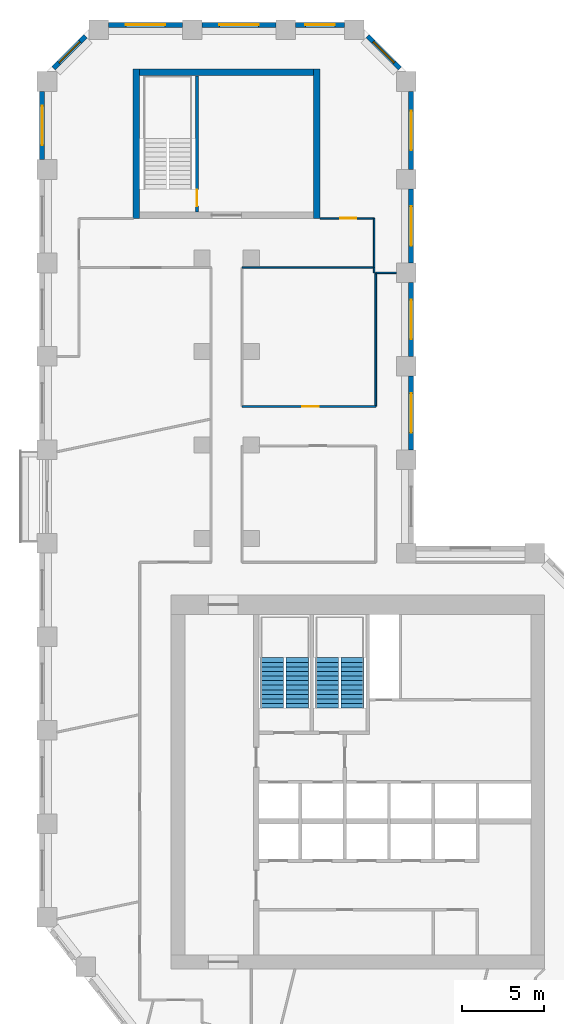
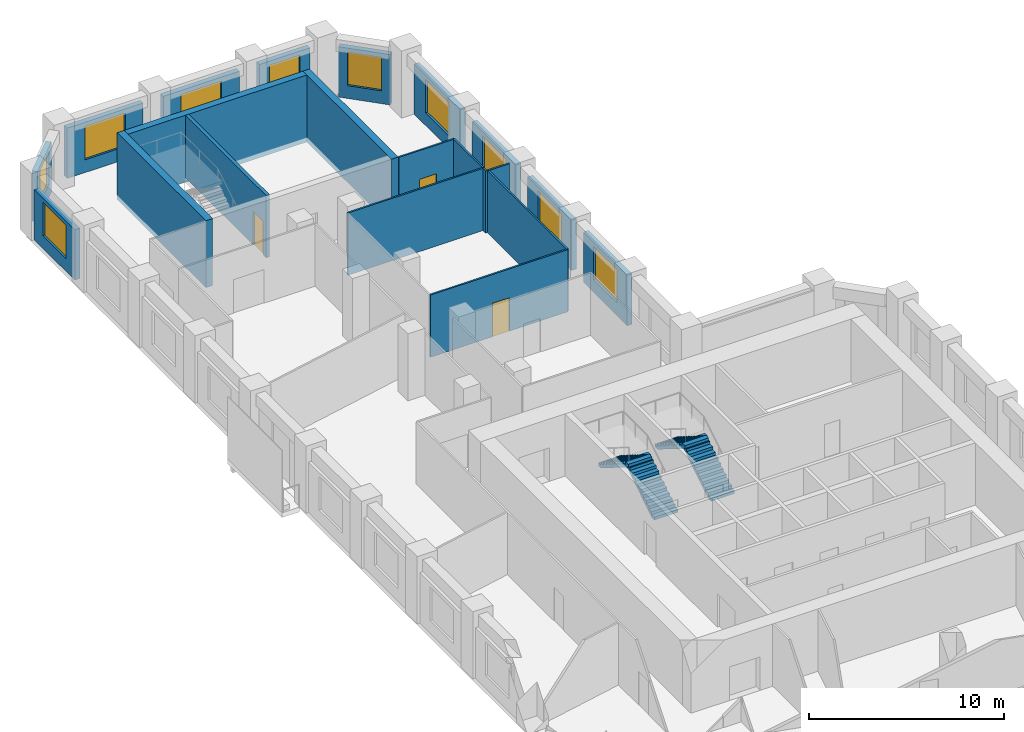
# One storey, part 8 of 10: 21 walls, 10 windows, 4 stair flights, 3 doors, 13 openings, 2 elements without a shape of their own.
"""IFC4 building model written with IfcOpenShell, lengths in metres."""

import ifcopenshell
import ifcopenshell.guid

model = None  # the IFC model being written
_history = None  # IfcOwnerHistory: only IFC2X3 demands one
_inside = {}  # id of a spatial element -> (the spatial element, [elements in it])
_under = {}  # id of a project, library or spatial element -> (it, [spatial elements below it])
_declared = {}  # id of a project -> (the project, [libraries it declares])
_typed = {}  # id of a type object -> (the type object, [elements of that type])
_made_of = {}  # id of a material, layer set ... -> (it, [elements and type objects made of it])


def new_model(schema):
    """Start an empty IFC model of exactly this schema.

    Asked for "IFC4X3", IfcOpenShell would pick the latest addendum, in which some entities
    have other attributes; the version numbers below select the first issue.
    IFC2X3 requires an IfcOwnerHistory on every rooted entity: one is made here for all.
    """
    global model, _history
    if schema == "IFC4X3":
        model = ifcopenshell.file(schema_version=(4, 3, 0, 0))
    else:
        model = ifcopenshell.file(schema=schema)
    _inside.clear()
    _under.clear()
    _declared.clear()
    _typed.clear()
    _made_of.clear()
    _history = None
    if model.schema == "IFC2X3":
        org = make("IfcOrganization", Name="unknown")
        user = make(
            "IfcPersonAndOrganization",
            ThePerson=make("IfcPerson", FamilyName="unknown"),
            TheOrganization=org,
        )
        app = make(
            "IfcApplication",
            ApplicationDeveloper=org,
            Version="unknown",
            ApplicationFullName="unknown",
            ApplicationIdentifier="unknown",
        )
        _history = make(
            "IfcOwnerHistory",
            OwningUser=user,
            OwningApplication=app,
            ChangeAction="ADDED",
            CreationDate=0,
        )
    return model


def make(cls, **values):
    """One entity of the class cls with the attributes given. An attribute that is None is left unset."""
    return model.create_entity(
        cls, **{name: value for name, value in values.items() if value is not None}
    )


def rooted(cls, **values):
    """An entity with a GlobalId (a new one), such as an element, a storey or a relation."""
    return make(cls, GlobalId=ifcopenshell.guid.new(), OwnerHistory=_history, **values)


def si_unit(unit_type, name, prefix=None):
    """IfcSIUnit, for example si_unit("LENGTHUNIT", "METRE", prefix="MILLI")."""
    return make("IfcSIUnit", UnitType=unit_type, Prefix=prefix, Name=name)


def assignment(units):
    """IfcUnitAssignment: the units of a project."""
    return None if units is None else make("IfcUnitAssignment", Units=units)


def point(xyz):
    """IfcCartesianPoint."""
    return None if xyz is None else make("IfcCartesianPoint", Coordinates=xyz)


def direction(xyz):
    """IfcDirection."""
    return None if xyz is None else make("IfcDirection", DirectionRatios=xyz)


def frame(location, z_axis=None, x_axis=None):
    """IfcAxis2Placement3D, a coordinate frame: its origin and axes. An axis left out is left unset."""
    return make(
        "IfcAxis2Placement3D",
        Location=point(location),
        Axis=direction(z_axis),
        RefDirection=direction(x_axis),
    )


def frame_2d(location, x_axis=None):
    """IfcAxis2Placement2D, a coordinate frame in the plane: its origin and x axis."""
    return make(
        "IfcAxis2Placement2D", Location=point(location), RefDirection=direction(x_axis)
    )


def origin():
    """The frame at (0, 0, 0) with its axes left unset."""
    return frame((0.0, 0.0, 0.0))


def place(relative_to, where):
    """IfcLocalPlacement: puts the frame where relative to a parent placement (None: the world)."""
    return make(
        "IfcLocalPlacement", PlacementRelTo=relative_to, RelativePlacement=where
    )


def context(
    kind, dimensions, precision=None, world=None, true_north=None, identifier=None
):
    """IfcGeometricRepresentationContext, for example the 3D "Model" context."""
    return make(
        "IfcGeometricRepresentationContext",
        ContextIdentifier=identifier,
        ContextType=kind,
        CoordinateSpaceDimension=dimensions,
        Precision=precision,
        WorldCoordinateSystem=world,
        TrueNorth=true_north,
    )


def subcontext(parent, identifier, kind, view, scale=None):
    """IfcGeometricRepresentationSubContext, for example "Body" below "Model"."""
    return make(
        "IfcGeometricRepresentationSubContext",
        ContextIdentifier=identifier,
        ContextType=kind,
        ParentContext=parent,
        TargetScale=scale,
        TargetView=view,
    )


def project(units=None, contexts=None):
    """IfcProject with its units and contexts."""
    return rooted(
        "IfcProject",
        Name="project",
        RepresentationContexts=contexts,
        UnitsInContext=assignment(units),
    )


def spatial(cls, under=None, at=None, **own):
    """A site, building, storey or space (cls), placed at a placement, below another one or the project."""
    s = rooted(cls, ObjectPlacement=at, **own)
    if under is not None:
        _under.setdefault(under.id(), (under, []))[1].append(s)
    return s


def polyline(points):
    """IfcPolyline through the points."""
    return make("IfcPolyline", Points=[point(p) for p in points])


def profile(cls, at=None, kind="AREA", **sizes):
    """A parametric profile (cls). Its sizes go by their IFC names, for example OverallWidth=200.0."""
    return make(cls, ProfileType=kind, Position=at, **sizes)


def rectangle(**sizes):
    """IfcRectangleProfileDef."""
    return profile("IfcRectangleProfileDef", **sizes)


def outline(outer, holes=None, kind="AREA"):
    """IfcArbitraryClosedProfileDef: a profile drawn as a closed curve; with holes, ...WithVoids."""
    if holes is None:
        return make("IfcArbitraryClosedProfileDef", ProfileType=kind, OuterCurve=outer)
    return make(
        "IfcArbitraryProfileDefWithVoids",
        ProfileType=kind,
        OuterCurve=outer,
        InnerCurves=holes,
    )


def extrude(swept, where, along, depth):
    """IfcExtrudedAreaSolid: the profile swept, set in the frame where, extruded along a direction by depth."""
    return make(
        "IfcExtrudedAreaSolid",
        SweptArea=swept,
        Position=where,
        ExtrudedDirection=direction(along),
        Depth=depth,
    )


def shape(context_of_items, identifier, shape_type, items):
    """IfcShapeRepresentation: the items that make up one representation, for example the "Body"."""
    return make(
        "IfcShapeRepresentation",
        ContextOfItems=context_of_items,
        RepresentationIdentifier=identifier,
        RepresentationType=shape_type,
        Items=items,
    )


def material(Name=None, Category=None):
    """IfcMaterial."""
    return make("IfcMaterial", Name=Name, Category=Category)


def layer(
    of_material, thickness, ventilated=None, Name=None, Category=None, Priority=None
):
    """IfcMaterialLayer: one layer of a wall or slab, of a material (None: an air gap)."""
    return make(
        "IfcMaterialLayer",
        Material=of_material,
        LayerThickness=thickness,
        IsVentilated=ventilated,
        Name=Name,
        Category=Category,
        Priority=Priority,
    )


def layer_set(layers, Name=None):
    """IfcMaterialLayerSet."""
    return make("IfcMaterialLayerSet", MaterialLayers=layers, LayerSetName=Name)


def made_of(thing, what):
    """Note that an element or type object is made of a material, layer set ...; save() writes the relation."""
    if what is not None:
        _made_of.setdefault(what.id(), (what, []))[1].append(thing)
    return thing


def type_object(cls, material=None, **own):
    """A type object (cls), such as IfcWallType, which elements share."""
    return made_of(rooted(cls, **own), material)


def element(
    cls,
    number,
    at=None,
    inside=None,
    cuts=None,
    type_object=None,
    material=None,
    context=None,
    identifier="Body",
    shape_type=None,
    held_by="IfcProductDefinitionShape",
    body=None,
    shapes=None,
    **own,
):
    """One element of the class cls, such as IfcWall. Its Tag is "e" and its number.

    at: its placement. inside: the storey or other place that contains it. cuts: it is an
    opening in that element (IfcRelVoidsElement). A single representation is given by context,
    identifier, shape_type and body (its items); several are given by shapes. held_by: the class
    of the entity that holds the representations. save() writes the other relations.
    """
    e = rooted(cls, Tag="e%d" % number, ObjectPlacement=at, **own)
    if body is not None:
        shapes = [shape(context, identifier, shape_type, body)]
    if shapes is not None:
        e.Representation = make(held_by, Representations=shapes)
    if inside is not None:
        _inside.setdefault(inside.id(), (inside, []))[1].append(e)
    if cuts is not None:
        rooted(
            "IfcRelVoidsElement", RelatingBuildingElement=cuts, RelatedOpeningElement=e
        )
    if type_object is not None:
        _typed.setdefault(type_object.id(), (type_object, []))[1].append(e)
    return made_of(e, material)


def fill(opening, filler):
    """IfcRelFillsElement: the door or window that sits in an opening."""
    return rooted(
        "IfcRelFillsElement",
        RelatingOpeningElement=opening,
        RelatedBuildingElement=filler,
    )


def aggregate(whole, parts):
    """IfcRelAggregates: a whole, such as a stair, and the parts it consists of."""
    return rooted("IfcRelAggregates", RelatingObject=whole, RelatedObjects=parts)


def save(model, path):
    """Write the relations noted so far, then the file.

    IfcRelAggregates (storeys below a building ...), IfcRelContainedInSpatialStructure (elements
    in a storey), IfcRelDefinesByType, IfcRelAssociatesMaterial and IfcRelDeclares: one each for
    every whole, place, type object, material and project.
    """
    for whole, parts in _under.values():
        aggregate(whole, parts)
    for where, things in _inside.values():
        rooted(
            "IfcRelContainedInSpatialStructure",
            RelatedElements=things,
            RelatingStructure=where,
        )
    for kind, things in _typed.values():
        rooted("IfcRelDefinesByType", RelatedObjects=things, RelatingType=kind)
    for what, things in _made_of.values():
        rooted("IfcRelAssociatesMaterial", RelatedObjects=things, RelatingMaterial=what)
    for by, libraries in _declared.values():
        rooted("IfcRelDeclares", RelatingContext=by, RelatedDefinitions=libraries)
    model.write(path)


model = new_model("IFC4")

# Units and contexts
model_context = context("Model", 3, precision=1e-05, world=origin(), true_north=direction((0.0, 1.0)))
body_context = subcontext(model_context, "Body", "Model", "MODEL_VIEW")
ifc_project = project(units=[si_unit("LENGTHUNIT", "METRE"), si_unit("AREAUNIT", "SQUARE_METRE"), si_unit("VOLUMEUNIT", "CUBIC_METRE"), si_unit("PLANEANGLEUNIT", "RADIAN"), si_unit("MASSUNIT", "GRAM", prefix="KILO")], contexts=[model_context])

# Site, building, storey
site_placement = place(None, origin())
site = spatial("IfcSite", under=ifc_project, at=site_placement, CompositionType="ELEMENT")
building_placement = place(site_placement, origin())
building = spatial("IfcBuilding", under=site, at=building_placement, Name="Meshkara Civic Tower", CompositionType="ELEMENT")
storey_placement = place(building_placement, frame((0.0, 0.0, 182.39990234375)))
storey = spatial("IfcBuildingStorey", under=building, at=storey_placement, Name="L41", CompositionType="ELEMENT", Elevation=182.39990234375)

# Walls
ifc_material_1 = material(Name="Corridor wall 100")
ifc_layer_1 = layer(ifc_material_1, 0.10009765625)
ifc_layer_set_1 = layer_set([ifc_layer_1], Name="Corridor wall 100")
wall_type_1 = type_object("IfcWallType", Name="Corridor wall 100", PredefinedType="PARTITIONING", material=ifc_layer_set_1)
wall_1_placement = place(storey_placement, frame((12.35009765625, 56.8701171875, 0.0), z_axis=(0.0, 0.0, 1.0), x_axis=(1.0, 0.0, 0.0)))
element("IfcWall", 1, at=wall_1_placement, inside=storey, type_object=wall_type_1, Name="L41-W015", PredefinedType="PARTITIONING", context=body_context, shape_type="SweptSolid", body=[
    extrude(rectangle(XDim=8.0498046875, YDim=0.10009765625, at=frame_2d((4.02490234375, 0.0))), origin(), (0.0, 0.0, 1.0), 3.900146484375),
])
wall_2_placement = place(storey_placement, frame((20.39990234375, 56.8701171875, 0.0), z_axis=(0.0, 0.0, 1.0), x_axis=(0.0, 1.0, 0.0)))
element("IfcWall", 2, at=wall_2_placement, inside=storey, type_object=wall_type_1, Name="L41-W018", PredefinedType="PARTITIONING", context=body_context, shape_type="SweptSolid", body=[
    extrude(rectangle(XDim=3.0, YDim=0.10009765625, at=frame_2d((1.5, 0.0))), origin(), (0.0, 0.0, 1.0), 3.900146484375),
])

# Wall, opening, door
wall_3_placement = place(storey_placement, frame((20.39990234375, 59.8701171875, 0.0), z_axis=(0.0, 0.0, 1.0), x_axis=(-1.0, 0.0, 0.0)))
wall_3 = element("IfcWall", 3, at=wall_3_placement, inside=storey, type_object=wall_type_1, Name="L41-W019", PredefinedType="PARTITIONING", context=body_context, shape_type="SweptSolid", body=[
    extrude(rectangle(XDim=3.2998046875, YDim=0.10009765625, at=frame_2d((1.64990234375, 0.0))), origin(), (0.0, 0.0, 1.0), 3.900146484375),
])
opening_1_placement = place(wall_3_placement, frame((1.080078125, 0.0, 0.0)))
opening_1 = element("IfcOpeningElement", 4, at=opening_1_placement, cuts=wall_3, Name="Opening L41-D022", PredefinedType="OPENING", context=body_context, shape_type="SweptSolid", body=[
    extrude(rectangle(XDim=1.0, YDim=2.10009765625, at=frame_2d((0.5, 1.050048828125))), frame((0.0, 0.06005859375, 0.0), z_axis=(0.0, -1.0, 0.0), x_axis=(1.0, 0.0, 0.0)), (0.0, 0.0, 1.0), 0.1201171875),
])
ifc_material_2 = material(Name="Door 1000 x 2100")
door_type_1 = type_object("IfcDoorType", Name="Door 1000 x 2100", OperationType="SINGLE_SWING_LEFT", PredefinedType="DOOR", material=ifc_material_2)
door_1_placement = place(opening_1_placement, origin())
door_1 = element("IfcDoor", 5, at=door_1_placement, inside=storey, type_object=door_type_1, Name="L41-D022", OperationType="SINGLE_SWING_RIGHT", OverallHeight=2.10009765625, OverallWidth=1.0, PredefinedType="DOOR", context=body_context, shape_type="SweptSolid", body=[
    extrude(rectangle(XDim=1.0, YDim=2.10009765625, at=frame_2d((0.5, 1.050048828125))), frame((0.0, 0.02490234375, 0.0), z_axis=(0.0, -1.0, 0.0), x_axis=(1.0, 0.0, 0.0)), (0.0, 0.0, 1.0), 0.050048828125),
])
fill(opening_1, door_1)

wall_4_placement = place(storey_placement, frame((20.5, 48.39990234375, 0.0), z_axis=(0.0, 0.0, 1.0), x_axis=(-1.0, 0.0, 0.0)))
wall_4 = element("IfcWall", 6, at=wall_4_placement, inside=storey, type_object=wall_type_1, Name="L41-W022", PredefinedType="PARTITIONING", context=body_context, shape_type="SweptSolid", body=[
    extrude(rectangle(XDim=8.14990234375, YDim=0.10009765625, at=frame_2d((4.074951171875, 0.0))), origin(), (0.0, 0.0, 1.0), 3.900146484375),
])
opening_2_placement = place(wall_4_placement, frame((3.47998046875, 0.0, 0.0)))
opening_2 = element("IfcOpeningElement", 7, at=opening_2_placement, cuts=wall_4, Name="Opening L41-D019", PredefinedType="OPENING", context=body_context, shape_type="SweptSolid", body=[
    extrude(rectangle(XDim=1.0, YDim=2.10009765625, at=frame_2d((0.5, 1.050048828125))), frame((0.0, 0.06005859375, 0.0), z_axis=(0.0, -1.0, 0.0), x_axis=(1.0, 0.0, 0.0)), (0.0, 0.0, 1.0), 0.1201171875),
])
door_2_placement = place(opening_2_placement, origin())
door_2 = element("IfcDoor", 8, at=door_2_placement, inside=storey, type_object=door_type_1, Name="L41-D019", OperationType="SINGLE_SWING_RIGHT", OverallHeight=2.10009765625, OverallWidth=1.0, PredefinedType="DOOR", context=body_context, shape_type="SweptSolid", body=[
    extrude(rectangle(XDim=1.0, YDim=2.10009765625, at=frame_2d((0.5, 1.050048828125))), frame((0.0, 0.02490234375, 0.0), z_axis=(0.0, -1.0, 0.0), x_axis=(1.0, 0.0, 0.0)), (0.0, 0.0, 1.0), 0.050048828125),
])
fill(opening_2, door_2)

# Walls
wall_5_placement = place(storey_placement, frame((20.5, 56.550048828125, 0.0), z_axis=(0.0, 0.0, 1.0), x_axis=(0.0, -1.0, 0.0)))
element("IfcWall", 9, at=wall_5_placement, inside=storey, type_object=wall_type_1, Name="L41-W023", PredefinedType="PARTITIONING", context=body_context, shape_type="SweptSolid", body=[
    extrude(rectangle(XDim=8.150146484375, YDim=0.10009765625, at=frame_2d((4.0751953125, 0.0))), origin(), (0.0, 0.0, 1.0), 3.900146484375),
])
wall_6_placement = place(storey_placement, frame((21.75, 56.550048828125, 0.0), z_axis=(0.0, 0.0, 1.0), x_axis=(-1.0, 0.0, 0.0)))
element("IfcWall", 10, at=wall_6_placement, inside=storey, type_object=wall_type_1, Name="L41-W024", PredefinedType="PARTITIONING", context=body_context, shape_type="SweptSolid", body=[
    extrude(rectangle(XDim=1.25, YDim=0.10009765625, at=frame_2d((0.625, 0.0))), origin(), (0.0, 0.0, 1.0), 3.900146484375),
])

# Wall, opening, window
ifc_material_3 = material(Name="Insulated infill panel with bronze anodised aluminium cladding", Category="aluminium")
ifc_layer_2 = layer(ifc_material_3, 0.300048828125)
ifc_layer_set_2 = layer_set([ifc_layer_2], Name="EXTERNAL INFILL WALL 300")
wall_type_2 = type_object("IfcWallType", Name="EXTERNAL INFILL WALL 300", PredefinedType="SOLIDWALL", material=ifc_layer_set_2)
wall_7_placement = place(storey_placement, frame((22.64990234375, 45.75, 0.0), z_axis=(0.0, 0.0, 1.0), x_axis=(0.0, 1.0, 0.0)))
wall_7 = element("IfcWall", 11, at=wall_7_placement, inside=storey, type_object=wall_type_2, Name="External wall", PredefinedType="SOLIDWALL", context=body_context, shape_type="SweptSolid", body=[
    extrude(rectangle(XDim=4.5, YDim=0.300048828125, at=frame_2d((2.25, 0.0))), origin(), (0.0, 0.0, 1.0), 3.150146484375),
])
opening_3_placement = place(wall_7_placement, frame((1.050048828125, 0.0, 0.800048828125)))
opening_3 = element("IfcOpeningElement", 12, at=opening_3_placement, cuts=wall_7, Name="Opening W7", PredefinedType="OPENING", context=body_context, shape_type="SweptSolid", body=[
    extrude(rectangle(XDim=2.39990234375, YDim=2.10009765625, at=frame_2d((1.199951171875, 1.050048828125))), frame((0.0, 0.159912109375, 0.0), z_axis=(0.0, -1.0, 0.0), x_axis=(1.0, 0.0, 0.0)), (0.0, 0.0, 1.0), 0.320068359375),
])
ifc_material_4 = material(Name="Tinted double glazing", Category="glass")
window_type_1 = type_object("IfcWindowType", Name="WINDOW 2400x2100", PartitioningType="DOUBLE_PANEL_VERTICAL", PredefinedType="WINDOW", material=ifc_material_4)
window_1_placement = place(opening_3_placement, origin())
window_1 = element("IfcWindow", 13, at=window_1_placement, inside=storey, type_object=window_type_1, Name="Window", OverallHeight=2.10009765625, OverallWidth=2.39990234375, PartitioningType="DOUBLE_PANEL_VERTICAL", PredefinedType="WINDOW", context=body_context, shape_type="SweptSolid", body=[
    extrude(rectangle(XDim=2.39990234375, YDim=2.10009765625, at=frame_2d((1.199951171875, 1.050048828125))), frame((0.0, 0.030029296875, 0.0), z_axis=(0.0, -1.0, 0.0), x_axis=(1.0, 0.0, 0.0)), (0.0, 0.0, 1.0), 0.06005859375),
])
fill(opening_3, window_1)

wall_8_placement = place(storey_placement, frame((22.64990234375, 51.449951171875, 0.0), z_axis=(0.0, 0.0, 1.0), x_axis=(0.0, 1.0, 0.0)))
wall_8 = element("IfcWall", 14, at=wall_8_placement, inside=storey, type_object=wall_type_2, Name="External wall", PredefinedType="SOLIDWALL", context=body_context, shape_type="SweptSolid", body=[
    extrude(rectangle(XDim=4.5, YDim=0.300048828125, at=frame_2d((2.25, 0.0))), origin(), (0.0, 0.0, 1.0), 3.150146484375),
])
opening_4_placement = place(wall_8_placement, frame((1.050048828125, 0.0, 0.800048828125)))
opening_4 = element("IfcOpeningElement", 15, at=opening_4_placement, cuts=wall_8, Name="Opening W7", PredefinedType="OPENING", context=body_context, shape_type="SweptSolid", body=[
    extrude(rectangle(XDim=2.39990234375, YDim=2.10009765625, at=frame_2d((1.199951171875, 1.050048828125))), frame((0.0, 0.159912109375, 0.0), z_axis=(0.0, -1.0, 0.0), x_axis=(1.0, 0.0, 0.0)), (0.0, 0.0, 1.0), 0.320068359375),
])
window_2_placement = place(opening_4_placement, origin())
window_2 = element("IfcWindow", 16, at=window_2_placement, inside=storey, type_object=window_type_1, Name="Window", OverallHeight=2.10009765625, OverallWidth=2.39990234375, PartitioningType="DOUBLE_PANEL_VERTICAL", PredefinedType="WINDOW", context=body_context, shape_type="SweptSolid", body=[
    extrude(rectangle(XDim=2.39990234375, YDim=2.10009765625, at=frame_2d((1.199951171875, 1.050048828125))), frame((0.0, 0.030029296875, 0.0), z_axis=(0.0, -1.0, 0.0), x_axis=(1.0, 0.0, 0.0)), (0.0, 0.0, 1.0), 0.06005859375),
])
fill(opening_4, window_2)

wall_9_placement = place(storey_placement, frame((22.64990234375, 57.14990234375, 0.0), z_axis=(0.0, 0.0, 1.0), x_axis=(0.0, 1.0, 0.0)))
wall_9 = element("IfcWall", 17, at=wall_9_placement, inside=storey, type_object=wall_type_2, Name="External wall", PredefinedType="SOLIDWALL", context=body_context, shape_type="SweptSolid", body=[
    extrude(rectangle(XDim=4.5, YDim=0.300048828125, at=frame_2d((2.25, 0.0))), origin(), (0.0, 0.0, 1.0), 3.150146484375),
])
opening_5_placement = place(wall_9_placement, frame((1.050048828125, 0.0, 0.800048828125)))
opening_5 = element("IfcOpeningElement", 18, at=opening_5_placement, cuts=wall_9, Name="Opening W7", PredefinedType="OPENING", context=body_context, shape_type="SweptSolid", body=[
    extrude(rectangle(XDim=2.39990234375, YDim=2.10009765625, at=frame_2d((1.199951171875, 1.050048828125))), frame((0.0, 0.159912109375, 0.0), z_axis=(0.0, -1.0, 0.0), x_axis=(1.0, 0.0, 0.0)), (0.0, 0.0, 1.0), 0.320068359375),
])
window_3_placement = place(opening_5_placement, origin())
window_3 = element("IfcWindow", 19, at=window_3_placement, inside=storey, type_object=window_type_1, Name="Window", OverallHeight=2.10009765625, OverallWidth=2.39990234375, PartitioningType="DOUBLE_PANEL_VERTICAL", PredefinedType="WINDOW", context=body_context, shape_type="SweptSolid", body=[
    extrude(rectangle(XDim=2.39990234375, YDim=2.10009765625, at=frame_2d((1.199951171875, 1.050048828125))), frame((0.0, 0.030029296875, 0.0), z_axis=(0.0, -1.0, 0.0), x_axis=(1.0, 0.0, 0.0)), (0.0, 0.0, 1.0), 0.06005859375),
])
fill(opening_5, window_3)

wall_10_placement = place(storey_placement, frame((22.64990234375, 62.85009765625, 0.0), z_axis=(0.0, 0.0, 1.0), x_axis=(0.0, 1.0, 0.0)))
wall_10 = element("IfcWall", 20, at=wall_10_placement, inside=storey, type_object=wall_type_2, Name="External wall", PredefinedType="SOLIDWALL", context=body_context, shape_type="SweptSolid", body=[
    extrude(rectangle(XDim=4.763916015625, YDim=0.300048828125, at=frame_2d((2.3818359375, 0.0))), origin(), (0.0, 0.0, 1.0), 3.150146484375),
])
opening_6_placement = place(wall_10_placement, frame((1.181884765625, 0.0, 0.800048828125)))
opening_6 = element("IfcOpeningElement", 21, at=opening_6_placement, cuts=wall_10, Name="Opening W7", PredefinedType="OPENING", context=body_context, shape_type="SweptSolid", body=[
    extrude(rectangle(XDim=2.39990234375, YDim=2.10009765625, at=frame_2d((1.199951171875, 1.050048828125))), frame((0.0, 0.159912109375, 0.0), z_axis=(0.0, -1.0, 0.0), x_axis=(1.0, 0.0, 0.0)), (0.0, 0.0, 1.0), 0.320068359375),
])
window_4_placement = place(opening_6_placement, origin())
window_4 = element("IfcWindow", 22, at=window_4_placement, inside=storey, type_object=window_type_1, Name="Window", OverallHeight=2.10009765625, OverallWidth=2.39990234375, PartitioningType="DOUBLE_PANEL_VERTICAL", PredefinedType="WINDOW", context=body_context, shape_type="SweptSolid", body=[
    extrude(rectangle(XDim=2.39990234375, YDim=2.10009765625, at=frame_2d((1.199951171875, 1.050048828125))), frame((0.0, 0.030029296875, 0.0), z_axis=(0.0, -1.0, 0.0), x_axis=(1.0, 0.0, 0.0)), (0.0, 0.0, 1.0), 0.06005859375),
])
fill(opening_6, window_4)

wall_11_placement = place(storey_placement, frame((21.9619140625, 69.02587890625, 0.0), z_axis=(0.0, 0.0, 1.0), x_axis=(-0.707062649074, 0.707150910545, 0.0)))
wall_11 = element("IfcWall", 23, at=wall_11_placement, inside=storey, type_object=wall_type_2, Name="External wall", PredefinedType="SOLIDWALL", context=body_context, shape_type="SweptSolid", body=[
    extrude(rectangle(XDim=2.76611328125, YDim=0.300048828125, at=frame_2d((1.383056640625, 0.0))), origin(), (0.0, 0.0, 1.0), 3.150146484375),
])
opening_7_placement = place(wall_11_placement, frame((0.48291015625, 0.0, 0.800048828125)))
opening_7 = element("IfcOpeningElement", 24, at=opening_7_placement, cuts=wall_11, Name="Opening W9", PredefinedType="OPENING", context=body_context, shape_type="SweptSolid", body=[
    extrude(rectangle(XDim=1.800048828125, YDim=2.10009765625, at=frame_2d((0.89990234375, 1.050048828125))), frame((0.0, 0.159912109375, 0.0), z_axis=(0.0, -1.0, 0.0), x_axis=(1.0, 0.0, 0.0)), (0.0, 0.0, 1.0), 0.320068359375),
])
ifc_material_5 = material(Name="Tinted double glazing", Category="glass")
window_type_2 = type_object("IfcWindowType", Name="WINDOW 1800x2100", PartitioningType="DOUBLE_PANEL_VERTICAL", PredefinedType="WINDOW", material=ifc_material_5)
window_5_placement = place(opening_7_placement, origin())
window_5 = element("IfcWindow", 25, at=window_5_placement, inside=storey, type_object=window_type_2, Name="Window", OverallHeight=2.10009765625, OverallWidth=1.800048828125, PartitioningType="DOUBLE_PANEL_VERTICAL", PredefinedType="WINDOW", context=body_context, shape_type="SweptSolid", body=[
    extrude(rectangle(XDim=1.800048828125, YDim=2.10009765625, at=frame_2d((0.89990234375, 1.050048828125))), frame((0.0, 0.030029296875, 0.0), z_axis=(0.0, -1.0, 0.0), x_axis=(1.0, 0.0, 0.0)), (0.0, 0.0, 1.0), 0.06005859375),
])
fill(opening_7, window_5)

wall_12_placement = place(storey_placement, frame((18.593994140625, 71.669921875, 0.0), z_axis=(0.0, 0.0, 1.0), x_axis=(-1.0, 0.0, 0.0)))
wall_12 = element("IfcWall", 26, at=wall_12_placement, inside=storey, type_object=wall_type_2, Name="External wall", PredefinedType="SOLIDWALL", context=body_context, shape_type="SweptSolid", body=[
    extrude(rectangle(XDim=2.988037109375, YDim=0.300048828125, at=frame_2d((1.494140625, 0.0))), origin(), (0.0, 0.0, 1.0), 3.150146484375),
])
opening_8_placement = place(wall_12_placement, frame((0.593994140625, 0.0, 0.800048828125)))
opening_8 = element("IfcOpeningElement", 27, at=opening_8_placement, cuts=wall_12, Name="Opening W9", PredefinedType="OPENING", context=body_context, shape_type="SweptSolid", body=[
    extrude(rectangle(XDim=1.800048828125, YDim=2.10009765625, at=frame_2d((0.89990234375, 1.050048828125))), frame((0.0, 0.159912109375, 0.0), z_axis=(0.0, -1.0, 0.0), x_axis=(1.0, 0.0, 0.0)), (0.0, 0.0, 1.0), 0.320068359375),
])
window_6_placement = place(opening_8_placement, origin())
window_6 = element("IfcWindow", 28, at=window_6_placement, inside=storey, type_object=window_type_2, Name="Window", OverallHeight=2.10009765625, OverallWidth=1.800048828125, PartitioningType="DOUBLE_PANEL_VERTICAL", PredefinedType="WINDOW", context=body_context, shape_type="SweptSolid", body=[
    extrude(rectangle(XDim=1.800048828125, YDim=2.10009765625, at=frame_2d((0.89990234375, 1.050048828125))), frame((0.0, 0.030029296875, 0.0), z_axis=(0.0, -1.0, 0.0), x_axis=(1.0, 0.0, 0.0)), (0.0, 0.0, 1.0), 0.06005859375),
])
fill(opening_8, window_6)

wall_13_placement = place(storey_placement, frame((14.406005859375, 71.669921875, 0.0), z_axis=(0.0, 0.0, 1.0), x_axis=(-1.0, 0.0, 0.0)))
wall_13 = element("IfcWall", 29, at=wall_13_placement, inside=storey, type_object=wall_type_2, Name="External wall", PredefinedType="SOLIDWALL", context=body_context, shape_type="SweptSolid", body=[
    extrude(rectangle(XDim=4.5, YDim=0.300048828125, at=frame_2d((2.25, 0.0))), origin(), (0.0, 0.0, 1.0), 3.150146484375),
])
opening_9_placement = place(wall_13_placement, frame((1.050048828125, 0.0, 0.800048828125)))
opening_9 = element("IfcOpeningElement", 30, at=opening_9_placement, cuts=wall_13, Name="Opening W7", PredefinedType="OPENING", context=body_context, shape_type="SweptSolid", body=[
    extrude(rectangle(XDim=2.39990234375, YDim=2.10009765625, at=frame_2d((1.199951171875, 1.050048828125))), frame((0.0, 0.159912109375, 0.0), z_axis=(0.0, -1.0, 0.0), x_axis=(1.0, 0.0, 0.0)), (0.0, 0.0, 1.0), 0.320068359375),
])
window_7_placement = place(opening_9_placement, origin())
window_7 = element("IfcWindow", 31, at=window_7_placement, inside=storey, type_object=window_type_1, Name="Window", OverallHeight=2.10009765625, OverallWidth=2.39990234375, PartitioningType="DOUBLE_PANEL_VERTICAL", PredefinedType="WINDOW", context=body_context, shape_type="SweptSolid", body=[
    extrude(rectangle(XDim=2.39990234375, YDim=2.10009765625, at=frame_2d((1.199951171875, 1.050048828125))), frame((0.0, 0.030029296875, 0.0), z_axis=(0.0, -1.0, 0.0), x_axis=(1.0, 0.0, 0.0)), (0.0, 0.0, 1.0), 0.06005859375),
])
fill(opening_9, window_7)

wall_14_placement = place(storey_placement, frame((8.7060546875, 71.669921875, 0.0), z_axis=(0.0, 0.0, 1.0), x_axis=(-1.0, 0.0, 0.0)))
wall_14 = element("IfcWall", 32, at=wall_14_placement, inside=storey, type_object=wall_type_2, Name="External wall", PredefinedType="SOLIDWALL", context=body_context, shape_type="SweptSolid", body=[
    extrude(rectangle(XDim=4.5, YDim=0.300048828125, at=frame_2d((2.25, 0.0))), origin(), (0.0, 0.0, 1.0), 3.150146484375),
])
opening_10_placement = place(wall_14_placement, frame((1.050048828125, 0.0, 0.800048828125)))
opening_10 = element("IfcOpeningElement", 33, at=opening_10_placement, cuts=wall_14, Name="Opening W7", PredefinedType="OPENING", context=body_context, shape_type="SweptSolid", body=[
    extrude(rectangle(XDim=2.39990234375, YDim=2.10009765625, at=frame_2d((1.199951171875, 1.050048828125))), frame((0.0, 0.159912109375, 0.0), z_axis=(0.0, -1.0, 0.0), x_axis=(1.0, 0.0, 0.0)), (0.0, 0.0, 1.0), 0.320068359375),
])
window_8_placement = place(opening_10_placement, origin())
window_8 = element("IfcWindow", 34, at=window_8_placement, inside=storey, type_object=window_type_1, Name="Window", OverallHeight=2.10009765625, OverallWidth=2.39990234375, PartitioningType="DOUBLE_PANEL_VERTICAL", PredefinedType="WINDOW", context=body_context, shape_type="SweptSolid", body=[
    extrude(rectangle(XDim=2.39990234375, YDim=2.10009765625, at=frame_2d((1.199951171875, 1.050048828125))), frame((0.0, 0.030029296875, 0.0), z_axis=(0.0, -1.0, 0.0), x_axis=(1.0, 0.0, 0.0)), (0.0, 0.0, 1.0), 0.06005859375),
])
fill(opening_10, window_8)

wall_15_placement = place(storey_placement, frame((2.7939453125, 70.98193359375, 0.0), z_axis=(0.0, 0.0, 1.0), x_axis=(-0.707106781187, -0.707106781187, 0.0)))
wall_15 = element("IfcWall", 35, at=wall_15_placement, inside=storey, type_object=wall_type_2, Name="External wall", PredefinedType="SOLIDWALL", context=body_context, shape_type="SweptSolid", body=[
    extrude(rectangle(XDim=2.766357421875, YDim=0.300048828125, at=frame_2d((1.38330078125, 0.0))), origin(), (0.0, 0.0, 1.0), 3.150146484375),
])
opening_11_placement = place(wall_15_placement, frame((0.48291015625, 0.0, 0.800048828125)))
opening_11 = element("IfcOpeningElement", 36, at=opening_11_placement, cuts=wall_15, Name="Opening W9", PredefinedType="OPENING", context=body_context, shape_type="SweptSolid", body=[
    extrude(rectangle(XDim=1.800048828125, YDim=2.10009765625, at=frame_2d((0.89990234375, 1.050048828125))), frame((0.0, 0.159912109375, 0.0), z_axis=(0.0, -1.0, 0.0), x_axis=(1.0, 0.0, 0.0)), (0.0, 0.0, 1.0), 0.320068359375),
])
window_9_placement = place(opening_11_placement, origin())
window_9 = element("IfcWindow", 37, at=window_9_placement, inside=storey, type_object=window_type_2, Name="Window", OverallHeight=2.10009765625, OverallWidth=1.800048828125, PartitioningType="DOUBLE_PANEL_VERTICAL", PredefinedType="WINDOW", context=body_context, shape_type="SweptSolid", body=[
    extrude(rectangle(XDim=1.800048828125, YDim=2.10009765625, at=frame_2d((0.89990234375, 1.050048828125))), frame((0.0, 0.030029296875, 0.0), z_axis=(0.0, -1.0, 0.0), x_axis=(1.0, 0.0, 0.0)), (0.0, 0.0, 1.0), 0.06005859375),
])
fill(opening_11, window_9)

wall_16_placement = place(storey_placement, frame((0.14990234375, 67.614013671875, 0.0), z_axis=(0.0, 0.0, 1.0), x_axis=(0.0, -1.0, 0.0)))
wall_16 = element("IfcWall", 38, at=wall_16_placement, inside=storey, type_object=wall_type_2, Name="External wall", PredefinedType="SOLIDWALL", context=body_context, shape_type="SweptSolid", body=[
    extrude(rectangle(XDim=4.158935546875, YDim=0.300048828125, at=frame_2d((2.07958984375, 0.0))), origin(), (0.0, 0.0, 1.0), 3.150146484375),
])
opening_12_placement = place(wall_16_placement, frame((0.8798828125, 0.0, 0.800048828125)))
opening_12 = element("IfcOpeningElement", 39, at=opening_12_placement, cuts=wall_16, Name="Opening W7", PredefinedType="OPENING", context=body_context, shape_type="SweptSolid", body=[
    extrude(rectangle(XDim=2.39990234375, YDim=2.10009765625, at=frame_2d((1.199951171875, 1.050048828125))), frame((0.0, 0.159912109375, 0.0), z_axis=(0.0, -1.0, 0.0), x_axis=(1.0, 0.0, 0.0)), (0.0, 0.0, 1.0), 0.320068359375),
])
window_10_placement = place(opening_12_placement, origin())
window_10 = element("IfcWindow", 40, at=window_10_placement, inside=storey, type_object=window_type_1, Name="Window", OverallHeight=2.10009765625, OverallWidth=2.39990234375, PartitioningType="DOUBLE_PANEL_VERTICAL", PredefinedType="WINDOW", context=body_context, shape_type="SweptSolid", body=[
    extrude(rectangle(XDim=2.39990234375, YDim=2.10009765625, at=frame_2d((1.199951171875, 1.050048828125))), frame((0.0, 0.030029296875, 0.0), z_axis=(0.0, -1.0, 0.0), x_axis=(1.0, 0.0, 0.0)), (0.0, 0.0, 1.0), 0.06005859375),
])
fill(opening_12, window_10)

# Walls
ifc_material_6 = material(Name="Concrete C70", Category="concrete")
ifc_layer_3 = layer(ifc_material_6, 0.39990234375)
ifc_layer_set_3 = layer_set([ifc_layer_3], Name="End core ring wall 400 C70")
wall_type_3 = type_object("IfcWallType", Name="End core ring wall 400 C70", PredefinedType="SHEAR", material=ifc_layer_set_3)
for number, where, z_axis, x_axis, name in (
    (41, (5.89990234375, 59.8701171875, -0.2998046875), (0.0, 0.0, 1.0), (0.0, 1.0, 0.0), "L41-C022"),
    (42, (16.89990234375, 59.8701171875, -0.2998046875), (0.0, 0.0, 1.0), (0.0, 1.0, 0.0), "L41-C023"),
):
    element("IfcWall", number, at=place(storey_placement, frame(where, z_axis=z_axis, x_axis=x_axis)), inside=storey, type_object=wall_type_3, Name=name, PredefinedType="SHEAR", context=body_context, shape_type="SweptSolid", body=[
        extrude(rectangle(XDim=9.099853515625, YDim=0.39990234375, at=frame_2d((4.5498046875, 0.0))), origin(), (0.0, 0.0, 1.0), 4.199951171875),
    ])
wall_17_placement = place(storey_placement, frame((6.10009765625, 68.77001953125, -0.2998046875), z_axis=(0.0, 0.0, 1.0), x_axis=(1.0, 0.0, 0.0)))
element("IfcWall", 43, at=wall_17_placement, inside=storey, type_object=wall_type_3, Name="L41-C025", PredefinedType="SHEAR", context=body_context, shape_type="SweptSolid", body=[
    extrude(rectangle(XDim=10.599853515625, YDim=0.39990234375, at=frame_2d((5.2998046875, 0.0))), origin(), (0.0, 0.0, 1.0), 4.199951171875),
])
ifc_material_7 = material(Name="Partition 100")
ifc_layer_4 = layer(ifc_material_7, 0.10009765625)
ifc_layer_set_4 = layer_set([ifc_layer_4], Name="Partition 100")
wall_type_4 = type_object("IfcWallType", Name="Partition 100", PredefinedType="PARTITIONING", material=ifc_layer_set_4)
wall_18_placement = place(storey_placement, frame((20.39990234375, 56.550048828125, 0.0), z_axis=(0.0, 0.0, 1.0), x_axis=(0.0, 1.0, 0.0)))
element("IfcWall", 44, at=wall_18_placement, inside=storey, type_object=wall_type_4, Name="L41-W052", PredefinedType="PARTITIONING", context=body_context, shape_type="SweptSolid", body=[
    extrude(rectangle(XDim=0.323974609375, YDim=0.10009765625, at=frame_2d((0.162109375, 0.0))), origin(), (0.0, 0.0, 1.0), 3.900146484375),
])

# Wall, opening, door
ifc_material_8 = material(Name="Concrete C40/50", Category="concrete")
ifc_layer_5 = layer(ifc_material_8, 0.199951171875)
ifc_layer_set_5 = layer_set([ifc_layer_5], Name="Stair enclosure wall 200 C40/50")
wall_type_5 = type_object("IfcWallType", Name="Stair enclosure wall 200 C40/50", PredefinedType="SOLIDWALL", material=ifc_layer_set_5)
wall_19_placement = place(storey_placement, frame((9.60009765625, 60.27001953125, 0.0), z_axis=(0.0, 0.0, 1.0), x_axis=(0.0, 1.0, 0.0)))
wall_19 = element("IfcWall", 45, at=wall_19_placement, inside=storey, type_object=wall_type_5, Name="L41-C026", PredefinedType="SOLIDWALL", context=body_context, shape_type="SweptSolid", body=[
    extrude(rectangle(XDim=8.300048828125, YDim=0.199951171875, at=frame_2d((4.14990234375, 0.0))), origin(), (0.0, 0.0, 1.0), 3.900146484375),
])
opening_13_placement = place(wall_19_placement, frame((0.35009765625, 0.0, 0.0)))
opening_13 = element("IfcOpeningElement", 46, at=opening_13_placement, cuts=wall_19, Name="Opening L41-K101", PredefinedType="OPENING", context=body_context, shape_type="SweptSolid", body=[
    extrude(rectangle(XDim=1.0, YDim=2.10009765625, at=frame_2d((0.5, 1.050048828125))), frame((0.0, 0.10986328125, 0.0), z_axis=(0.0, -1.0, 0.0), x_axis=(1.0, 0.0, 0.0)), (0.0, 0.0, 1.0), 0.219970703125),
])
ifc_material_9 = material(Name="Fire-rated door leaf in steel frame", Category="steel")
door_type_2 = type_object("IfcDoorType", Name="Stair door 1000 EI 120", OperationType="SINGLE_SWING_LEFT", PredefinedType="DOOR", material=ifc_material_9)
door_3_placement = place(opening_13_placement, origin())
door_3 = element("IfcDoor", 47, at=door_3_placement, inside=storey, type_object=door_type_2, Name="L41-K101", OperationType="SINGLE_SWING_RIGHT", OverallHeight=2.10009765625, OverallWidth=1.0, PredefinedType="DOOR", context=body_context, shape_type="SweptSolid", body=[
    extrude(rectangle(XDim=1.0, YDim=2.10009765625, at=frame_2d((0.5, 1.050048828125))), frame((0.0, 0.02490234375, 0.0), z_axis=(0.0, -1.0, 0.0), x_axis=(1.0, 0.0, 0.0)), (0.0, 0.0, 1.0), 0.050048828125),
])
fill(opening_13, door_3)

# Stair, stair flights
ifc_material_10 = material(Name="Precast concrete C40/50", Category="concrete")
stair_type = type_object("IfcStairType", Name="Exit stair half-turn 24 risers precast", PredefinedType="HALF_TURN_STAIR", material=ifc_material_10)
stair_1_placement = place(storey_placement, origin())
stair_1 = element("IfcStair", 48, at=stair_1_placement, inside=storey, type_object=stair_type, Name="L41 exit stair 1", PredefinedType="HALF_TURN_STAIR")
ifc_material_11 = material(Name="Precast concrete C40/50", Category="concrete")
stair_flight_type = type_object("IfcStairFlightType", Name="Exit stair flight 12 risers precast", PredefinedType="STRAIGHT", material=ifc_material_11)
stair_flight_1_placement = place(storey_placement, frame((15.72509765625, 30.0, 0.0), z_axis=(0.0, 0.0, 1.0), x_axis=(0.0, 1.0, 0.0)))
stair_flight_1 = element("IfcStairFlight", 49, at=stair_flight_1_placement, type_object=stair_flight_type, Name="ST1 flight 1", NumberOfRisers=12, NumberOfTreads=11, PredefinedType="STRAIGHT", RiserHeight=0.175, TreadLength=0.28, context=body_context, shape_type="SweptSolid", body=[
    extrude(outline(polyline([(0.0, 0.0), (0.0, 0.175048828125), (0.280029296875, 0.175048828125), (0.280029296875, 0.35009765625), (0.56005859375, 0.35009765625), (0.56005859375, 0.52490234375), (0.840087890625, 0.52490234375), (0.840087890625, 0.699951171875), (1.1201171875, 0.699951171875), (1.1201171875, 0.875), (1.39990234375, 0.875), (1.39990234375, 1.050048828125), (1.679931640625, 1.050048828125), (1.679931640625, 1.22509765625), (1.9599609375, 1.22509765625), (1.9599609375, 1.39990234375), (2.239990234375, 1.39990234375), (2.239990234375, 1.574951171875), (2.52001953125, 1.574951171875), (2.52001953125, 1.75), (2.800048828125, 1.75), (2.800048828125, 1.925048828125), (3.080078125, 1.925048828125), (3.080078125, 2.10009765625), (3.080078125, 1.748291015625), (0.28271484375, 0.0), (0.0, 0.0)])), frame((0.0, 0.699951171875, 0.0), z_axis=(0.0, -1.0, 0.0), x_axis=(1.0, 0.0, 0.0)), (0.0, 0.0, 1.0), 1.39990234375),
])
stair_flight_2_placement = place(storey_placement, frame((14.175048828125, 33.080078125, 2.10009765625), z_axis=(0.0, 0.0, 1.0), x_axis=(0.0, -1.0, 0.0)))
stair_flight_2 = element("IfcStairFlight", 50, at=stair_flight_2_placement, type_object=stair_flight_type, Name="ST1 flight 2", NumberOfRisers=12, NumberOfTreads=11, PredefinedType="STRAIGHT", RiserHeight=0.175, TreadLength=0.28, context=body_context, shape_type="SweptSolid", body=[
    extrude(outline(polyline([(0.0, 0.0), (0.0, 0.175048828125), (0.280029296875, 0.175048828125), (0.280029296875, 0.35009765625), (0.56005859375, 0.35009765625), (0.56005859375, 0.52490234375), (0.840087890625, 0.52490234375), (0.840087890625, 0.699951171875), (1.1201171875, 0.699951171875), (1.1201171875, 0.875), (1.39990234375, 0.875), (1.39990234375, 1.050048828125), (1.679931640625, 1.050048828125), (1.679931640625, 1.22509765625), (1.9599609375, 1.22509765625), (1.9599609375, 1.39990234375), (2.239990234375, 1.39990234375), (2.239990234375, 1.574951171875), (2.52001953125, 1.574951171875), (2.52001953125, 1.75), (2.800048828125, 1.75), (2.800048828125, 1.925048828125), (3.080078125, 1.925048828125), (3.080078125, 2.10009765625), (3.080078125, 1.748291015625), (0.28271484375, 0.0), (0.0, 0.0)])), frame((0.0, 0.699951171875, 0.0), z_axis=(0.0, -1.0, 0.0), x_axis=(1.0, 0.0, 0.0)), (0.0, 0.0, 1.0), 1.39990234375),
])
aggregate(stair_1, [stair_flight_1, stair_flight_2])

stair_2_placement = place(storey_placement, origin())
stair_2 = element("IfcStair", 51, at=stair_2_placement, inside=storey, type_object=stair_type, Name="L41 exit stair 2", PredefinedType="HALF_TURN_STAIR")
stair_flight_3_placement = place(storey_placement, frame((19.074951171875, 30.0, 0.0), z_axis=(0.0, 0.0, 1.0), x_axis=(0.0, 1.0, 0.0)))
stair_flight_3 = element("IfcStairFlight", 52, at=stair_flight_3_placement, type_object=stair_flight_type, Name="ST2 flight 1", NumberOfRisers=12, NumberOfTreads=11, PredefinedType="STRAIGHT", RiserHeight=0.175, TreadLength=0.28, context=body_context, shape_type="SweptSolid", body=[
    extrude(outline(polyline([(0.0, 0.0), (0.0, 0.175048828125), (0.280029296875, 0.175048828125), (0.280029296875, 0.35009765625), (0.56005859375, 0.35009765625), (0.56005859375, 0.52490234375), (0.840087890625, 0.52490234375), (0.840087890625, 0.699951171875), (1.1201171875, 0.699951171875), (1.1201171875, 0.875), (1.39990234375, 0.875), (1.39990234375, 1.050048828125), (1.679931640625, 1.050048828125), (1.679931640625, 1.22509765625), (1.9599609375, 1.22509765625), (1.9599609375, 1.39990234375), (2.239990234375, 1.39990234375), (2.239990234375, 1.574951171875), (2.52001953125, 1.574951171875), (2.52001953125, 1.75), (2.800048828125, 1.75), (2.800048828125, 1.925048828125), (3.080078125, 1.925048828125), (3.080078125, 2.10009765625), (3.080078125, 1.748291015625), (0.28271484375, 0.0), (0.0, 0.0)])), frame((0.0, 0.699951171875, 0.0), z_axis=(0.0, -1.0, 0.0), x_axis=(1.0, 0.0, 0.0)), (0.0, 0.0, 1.0), 1.39990234375),
])
stair_flight_4_placement = place(storey_placement, frame((17.52490234375, 33.080078125, 2.10009765625), z_axis=(0.0, 0.0, 1.0), x_axis=(0.0, -1.0, 0.0)))
stair_flight_4 = element("IfcStairFlight", 53, at=stair_flight_4_placement, type_object=stair_flight_type, Name="ST2 flight 2", NumberOfRisers=12, NumberOfTreads=11, PredefinedType="STRAIGHT", RiserHeight=0.175, TreadLength=0.28, context=body_context, shape_type="SweptSolid", body=[
    extrude(outline(polyline([(0.0, 0.0), (0.0, 0.175048828125), (0.280029296875, 0.175048828125), (0.280029296875, 0.35009765625), (0.56005859375, 0.35009765625), (0.56005859375, 0.52490234375), (0.840087890625, 0.52490234375), (0.840087890625, 0.699951171875), (1.1201171875, 0.699951171875), (1.1201171875, 0.875), (1.39990234375, 0.875), (1.39990234375, 1.050048828125), (1.679931640625, 1.050048828125), (1.679931640625, 1.22509765625), (1.9599609375, 1.22509765625), (1.9599609375, 1.39990234375), (2.239990234375, 1.39990234375), (2.239990234375, 1.574951171875), (2.52001953125, 1.574951171875), (2.52001953125, 1.75), (2.800048828125, 1.75), (2.800048828125, 1.925048828125), (3.080078125, 1.925048828125), (3.080078125, 2.10009765625), (3.080078125, 1.748291015625), (0.28271484375, 0.0), (0.0, 0.0)])), frame((0.0, 0.699951171875, 0.0), z_axis=(0.0, -1.0, 0.0), x_axis=(1.0, 0.0, 0.0)), (0.0, 0.0, 1.0), 1.39990234375),
])
aggregate(stair_2, [stair_flight_3, stair_flight_4])

save(model, "model.ifc")
